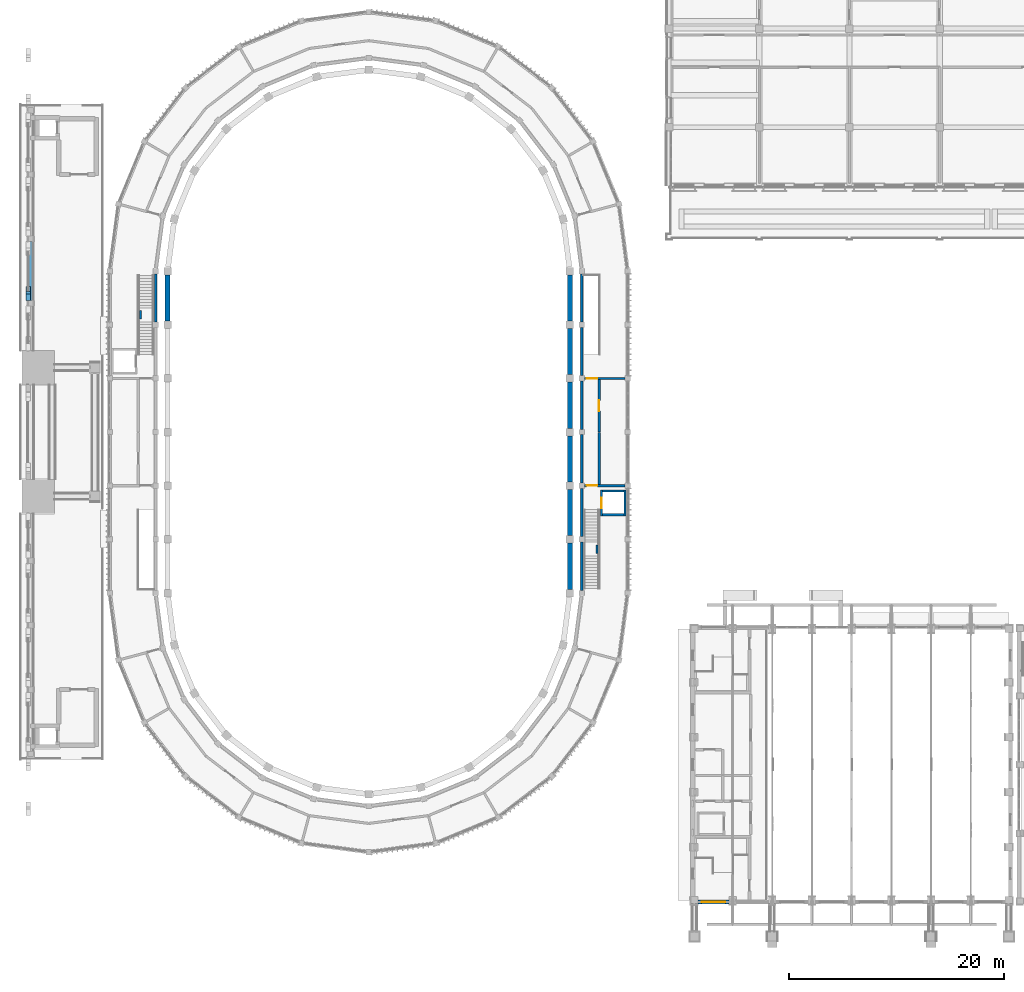
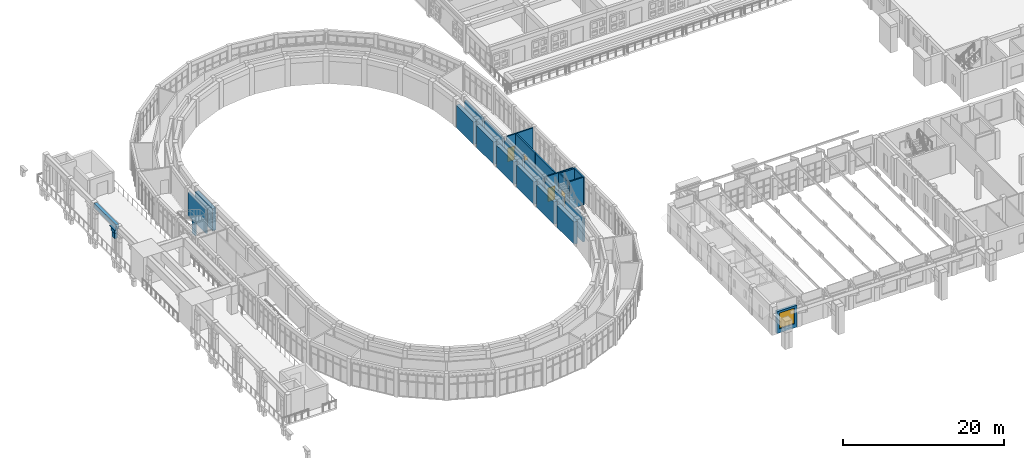
# One storey, part 57 of 99: 29 walls, 4 doors, 1 window, 5 openings.
"""IFC4 building model written with IfcOpenShell, lengths in metres."""

from ifc_helpers import new_model, si_unit, direction, frame, frame_2d, origin, place, context, subcontext, project, spatial, rectangle, extrude, material, layer, layer_set, type_object, element, fill, save


model = new_model("IFC4")

# Units and contexts
model_context = context("Model", 3, precision=1e-05, world=origin(), true_north=direction((0.0, 1.0)))
body_context = subcontext(model_context, "Body", "Model", "MODEL_VIEW")
ifc_project = project(units=[si_unit("LENGTHUNIT", "METRE"), si_unit("AREAUNIT", "SQUARE_METRE"), si_unit("VOLUMEUNIT", "CUBIC_METRE"), si_unit("PLANEANGLEUNIT", "RADIAN"), si_unit("MASSUNIT", "GRAM", prefix="KILO")], contexts=[model_context])

# Site, building, storey
site_placement = place(None, origin())
site = spatial("IfcSite", under=ifc_project, at=site_placement, CompositionType="ELEMENT")
building_placement = place(site_placement, origin())
building = spatial("IfcBuilding", under=site, at=building_placement, Name="Wasatch Bagh Community Centre", CompositionType="ELEMENT")
storey_placement = place(building_placement, frame((0.0, 0.0, 4.199951171875)))
storey = spatial("IfcBuildingStorey", under=building, at=storey_placement, Name="L01", CompositionType="ELEMENT", Elevation=4.199951171875)

# Walls
ifc_material_1 = material(Name="Concrete C40", Category="concrete")
ifc_layer_1 = layer(ifc_material_1, 0.39990234375)
ifc_layer_set_1 = layer_set([ifc_layer_1], Name="Concrete C40")
wall_type_1 = type_object("IfcWallType", Name="CT-W1", PredefinedType="STANDARD", material=ifc_layer_set_1)
wall_1_placement = place(storey_placement, frame((4.5, 62.25, 3.550048828125), z_axis=(0.0, 0.0, 1.0), x_axis=(0.0, 1.0, 0.0)))
element("IfcWall", 1, at=wall_1_placement, inside=storey, type_object=wall_type_1, Name="CT-W1 terrace arcade spandrel band 4", PredefinedType="STANDARD", context=body_context, shape_type="SweptSolid", body=[
    extrude(rectangle(XDim=5.5, YDim=0.39990234375, at=frame_2d((2.75, 0.0))), origin(), (0.0, 0.0, 1.0), 0.64990234375),
])
ifc_layer_2 = layer(ifc_material_1, 0.449951171875)
ifc_layer_set_2 = layer_set([ifc_layer_2], Name="Concrete C40")
wall_type_2 = type_object("IfcWallType", Name="CT-W6", PredefinedType="STANDARD", material=ifc_layer_set_2)
wall_2_placement = place(storey_placement, frame((4.27490234375, 62.25, 2.199951171875), z_axis=(0.0, 0.0, 1.0), x_axis=(0.0, 1.0, 0.0)))
element("IfcWall", 2, at=wall_2_placement, inside=storey, type_object=wall_type_2, Name="CT-W6 colonnade arch spandrel", PredefinedType="STANDARD", context=body_context, shape_type="SweptSolid", body=[
    extrude(rectangle(XDim=0.60009765625, YDim=0.449951171875, at=frame_2d((0.300048828125, 0.0))), origin(), (0.0, 0.0, 1.0), 0.800048828125),
])
wall_3_placement = place(storey_placement, frame((4.27490234375, 62.25, 3.0), z_axis=(0.0, 0.0, 1.0), x_axis=(0.0, 1.0, 0.0)))
element("IfcWall", 3, at=wall_3_placement, inside=storey, type_object=wall_type_2, Name="CT-W6 colonnade arch spandrel", PredefinedType="STANDARD", context=body_context, shape_type="SweptSolid", body=[
    extrude(rectangle(XDim=0.837158203125, YDim=0.449951171875, at=frame_2d((0.41845703125, 0.0))), origin(), (0.0, 0.0, 1.0), 0.449951171875),
])
wall_4_placement = place(storey_placement, frame((4.27490234375, 62.25, 3.449951171875), z_axis=(0.0, 0.0, 1.0), x_axis=(0.0, 1.0, 0.0)))
element("IfcWall", 4, at=wall_4_placement, inside=storey, type_object=wall_type_2, Name="CT-W6 colonnade arch spandrel", PredefinedType="STANDARD", context=body_context, shape_type="SweptSolid", body=[
    extrude(rectangle(XDim=1.29833984375, YDim=0.449951171875, at=frame_2d((0.649169921875, 0.0))), origin(), (0.0, 0.0, 1.0), 0.050048828125),
])

# Wall, opening, window
ifc_layer_3 = layer(ifc_material_1, 0.39990234375)
ifc_layer_set_3 = layer_set([ifc_layer_3], Name="Concrete C40")
wall_type_3 = type_object("IfcWallType", Name="DH RC WALL 400 solidwall", PredefinedType="SOLIDWALL", material=ifc_layer_set_3)
wall_5_placement = place(storey_placement, frame((69.550048828125, 6.199951171875, 0.0), z_axis=(0.0, 0.0, 1.0), x_axis=(-1.0, 0.0, 0.0)))
wall_5 = element("IfcWall", 5, at=wall_5_placement, inside=storey, type_object=wall_type_3, Name="DH.wall.L01.01", PredefinedType="SOLIDWALL", context=body_context, shape_type="SweptSolid", body=[
    extrude(rectangle(XDim=2.85009765625, YDim=0.39990234375, at=frame_2d((1.425048828125, 0.0))), origin(), (0.0, 0.0, 1.0), 3.300048828125),
])
opening_1_placement = place(wall_5_placement, frame((0.324951171875, 0.0, 0.60009765625)))
opening_1 = element("IfcOpeningElement", 6, at=opening_1_placement, cuts=wall_5, Name="Opening 1D-W01", PredefinedType="OPENING", context=body_context, shape_type="SweptSolid", body=[
    extrude(rectangle(XDim=2.199951171875, YDim=2.39990234375, at=frame_2d((1.10009765625, 1.199951171875))), frame((0.0, 0.2099609375, 0.0), z_axis=(0.0, -1.0, 0.0), x_axis=(1.0, 0.0, 0.0)), (0.0, 0.0, 1.0), 0.419921875),
])
ifc_material_2 = material(Name="Aluminium frame with double glazing", Category="aluminium")
window_type = type_object("IfcWindowType", Name="DH window 2200x2400", PartitioningType="SINGLE_PANEL", PredefinedType="WINDOW", material=ifc_material_2)
window_placement = place(opening_1_placement, origin())
window = element("IfcWindow", 7, at=window_placement, inside=storey, type_object=window_type, Name="DH.window.L01.1D-W01", OverallHeight=2.39990234375, OverallWidth=2.199951171875, PartitioningType="SINGLE_PANEL", PredefinedType="WINDOW", context=body_context, shape_type="SweptSolid", body=[
    extrude(rectangle(XDim=2.199951171875, YDim=2.39990234375, at=frame_2d((1.10009765625, 1.199951171875))), frame((0.0, 0.030029296875, 0.0), z_axis=(0.0, -1.0, 0.0), x_axis=(1.0, 0.0, 0.0)), (0.0, 0.0, 1.0), 0.06005859375),
])
fill(opening_1, window)

# Wall, opening, door
ifc_layer_4 = layer(ifc_material_1, 0.199951171875)
ifc_layer_set_4 = layer_set([ifc_layer_4], Name="Concrete C40")
wall_type_4 = type_object("IfcWallType", Name="Drum core wall RC WALL 200", PredefinedType="STANDARD", material=ifc_layer_set_4)
wall_6_placement = place(storey_placement, frame((56.10009765625, 45.0, 0.0), z_axis=(0.0, 0.0, 1.0), x_axis=(1.0, 0.0, 0.0)))
wall_6 = element("IfcWall", 8, at=wall_6_placement, inside=storey, type_object=wall_type_4, Name="Partition 14", PredefinedType="STANDARD", context=body_context, shape_type="SweptSolid", body=[
    extrude(rectangle(XDim=3.7998046875, YDim=0.199951171875, at=frame_2d((1.89990234375, 0.0))), origin(), (0.0, 0.0, 1.0), 3.949951171875),
])
opening_2_placement = place(wall_6_placement, frame((0.199951171875, 0.0, 0.0)))
opening_2 = element("IfcOpeningElement", 9, at=opening_2_placement, cuts=wall_6, Name="Opening 0F-23", PredefinedType="OPENING", context=body_context, shape_type="SweptSolid", body=[
    extrude(rectangle(XDim=1.0, YDim=2.10009765625, at=frame_2d((0.5, 1.050048828125))), frame((0.0, 0.10986328125, 0.0), z_axis=(0.0, -1.0, 0.0), x_axis=(1.0, 0.0, 0.0)), (0.0, 0.0, 1.0), 0.219970703125),
])
ifc_material_3 = material(Name="Timber door leaf in steel frame", Category="steel")
door_type_1 = type_object("IfcDoorType", Name="Drum door single 1000 x 2100", OperationType="SINGLE_SWING_LEFT", PredefinedType="DOOR", material=ifc_material_3)
door_1_placement = place(opening_2_placement, origin())
door_1 = element("IfcDoor", 10, at=door_1_placement, inside=storey, type_object=door_type_1, Name="Door 0F-23", OperationType="SINGLE_SWING_LEFT", OverallHeight=2.10009765625, OverallWidth=1.0, PredefinedType="DOOR", context=body_context, shape_type="SweptSolid", body=[
    extrude(rectangle(XDim=1.0, YDim=2.10009765625, at=frame_2d((0.5, 1.050048828125))), frame((0.0, 0.02490234375, 0.0), z_axis=(0.0, -1.0, 0.0), x_axis=(1.0, 0.0, 0.0)), (0.0, 0.0, 1.0), 0.050048828125),
])
fill(opening_2, door_1)

wall_7_placement = place(storey_placement, frame((56.10009765625, 55.0, 0.0), z_axis=(0.0, 0.0, 1.0), x_axis=(1.0, 0.0, 0.0)))
wall_7 = element("IfcWall", 11, at=wall_7_placement, inside=storey, type_object=wall_type_4, Name="Partition 16", PredefinedType="STANDARD", context=body_context, shape_type="SweptSolid", body=[
    extrude(rectangle(XDim=3.7998046875, YDim=0.199951171875, at=frame_2d((1.89990234375, 0.0))), origin(), (0.0, 0.0, 1.0), 3.949951171875),
])
opening_3_placement = place(wall_7_placement, frame((0.199951171875, 0.0, 0.0)))
opening_3 = element("IfcOpeningElement", 12, at=opening_3_placement, cuts=wall_7, Name="Opening 0F-24", PredefinedType="OPENING", context=body_context, shape_type="SweptSolid", body=[
    extrude(rectangle(XDim=1.0, YDim=2.10009765625, at=frame_2d((0.5, 1.050048828125))), frame((0.0, 0.10986328125, 0.0), z_axis=(0.0, -1.0, 0.0), x_axis=(1.0, 0.0, 0.0)), (0.0, 0.0, 1.0), 0.219970703125),
])
door_2_placement = place(opening_3_placement, origin())
door_2 = element("IfcDoor", 13, at=door_2_placement, inside=storey, type_object=door_type_1, Name="Door 0F-24", OperationType="SINGLE_SWING_RIGHT", OverallHeight=2.10009765625, OverallWidth=1.0, PredefinedType="DOOR", context=body_context, shape_type="SweptSolid", body=[
    extrude(rectangle(XDim=1.0, YDim=2.10009765625, at=frame_2d((0.5, 1.050048828125))), frame((0.0, 0.02490234375, 0.0), z_axis=(0.0, -1.0, 0.0), x_axis=(1.0, 0.0, 0.0)), (0.0, 0.0, 1.0), 0.050048828125),
])
fill(opening_3, door_2)

# Walls
ifc_layer_5 = layer(ifc_material_1, 0.25)
ifc_layer_set_5 = layer_set([ifc_layer_5], Name="Concrete C40")
wall_type_5 = type_object("IfcWallType", Name="Drum inner wall RC WALL 250", PredefinedType="SHEAR", material=ifc_layer_set_5)
for number, where, z_axis, x_axis, name in (
    (14, (55.85009765625, 35.25048828125, 0.0), (0.0, 0.0, 1.0), (0.0, 1.0, 0.0), "Inner wall 13"),
    (15, (55.85009765625, 40.25048828125, 0.0), (0.0, 0.0, 1.0), (0.0, 1.0, 0.0), "Inner wall 14"),
    (16, (55.85009765625, 45.25048828125, 0.0), (0.0, 0.0, 1.0), (0.0, 1.0, 0.0), "Inner wall 15"),
    (17, (55.85009765625, 50.25048828125, 0.0), (0.0, 0.0, 1.0), (0.0, 1.0, 0.0), "Inner wall 16"),
    (18, (55.85009765625, 55.25048828125, 0.0), (0.0, 0.0, 1.0), (0.0, 1.0, 0.0), "Inner wall 17"),
    (19, (55.85009765625, 60.25048828125, 0.0), (0.0, 0.0, 1.0), (0.0, 1.0, 0.0), "Inner wall 18"),
    (20, (16.14990234375, 64.74951171875, 0.0), (0.0, 0.0, 1.0), (0.0, -1.0, 0.0), "Inner wall 31"),
):
    element("IfcWall", number, at=place(storey_placement, frame(where, z_axis=z_axis, x_axis=x_axis)), inside=storey, type_object=wall_type_5, Name=name, PredefinedType="SHEAR", context=body_context, shape_type="SweptSolid", body=[
        extrude(rectangle(XDim=4.4990234375, YDim=0.25, at=frame_2d((2.24951171875, 0.0))), origin(), (0.0, 0.0, 1.0), 3.60009765625),
    ])
ifc_layer_6 = layer(ifc_material_1, 0.199951171875)
ifc_layer_set_6 = layer_set([ifc_layer_6], Name="Concrete C40")
wall_type_6 = type_object("IfcWallType", Name="Drum landing support wall RC WALL 200", PredefinedType="SHEAR", material=ifc_layer_set_6)
for number, where, z_axis, x_axis, name in (
    (21, (57.27490234375, 38.679931640625, 0.0), (0.0, 0.0, 1.0), (0.0, 1.0, 0.0), "Stair SE0 landing support wall"),
    (22, (14.72509765625, 61.320068359375, 0.0), (0.0, 0.0, 1.0), (0.0, -1.0, 0.0), "Stair NW0 landing support wall"),
):
    element("IfcWall", number, at=place(storey_placement, frame(where, z_axis=z_axis, x_axis=x_axis)), inside=storey, type_object=wall_type_6, Name=name, PredefinedType="SHEAR", context=body_context, shape_type="SweptSolid", body=[
        extrude(rectangle(XDim=0.800048828125, YDim=0.199951171875, at=frame_2d((0.39990234375, 0.0))), origin(), (0.0, 0.0, 1.0), 1.900146484375),
    ])

# Wall, opening, door
ifc_layer_7 = layer(ifc_material_1, 0.199951171875)
ifc_layer_set_7 = layer_set([ifc_layer_7], Name="Concrete C40")
wall_type_7 = type_object("IfcWallType", Name="Drum lift shaft wall RC WALL 200", PredefinedType="SHEAR", material=ifc_layer_set_7)
wall_8_placement = place(storey_placement, frame((57.675048828125, 42.199951171875, 0.0), z_axis=(0.0, 0.0, 1.0), x_axis=(0.0, 1.0, 0.0)))
wall_8 = element("IfcWall", 23, at=wall_8_placement, inside=storey, type_object=wall_type_7, Name="Lift shaft wall SE in", PredefinedType="SHEAR", context=body_context, shape_type="SweptSolid", body=[
    extrude(rectangle(XDim=2.400146484375, YDim=0.199951171875, at=frame_2d((1.2001953125, 0.0))), origin(), (0.0, 0.0, 1.0), 4.199951171875),
])
opening_4_placement = place(wall_8_placement, frame((0.699951171875, 0.0, 0.0)))
opening_4 = element("IfcOpeningElement", 24, at=opening_4_placement, cuts=wall_8, Name="Opening LD", PredefinedType="OPENING", context=body_context, shape_type="SweptSolid", body=[
    extrude(rectangle(XDim=1.0, YDim=2.10009765625, at=frame_2d((0.5, 1.050048828125))), frame((0.0, 0.10986328125, 0.0), z_axis=(0.0, -1.0, 0.0), x_axis=(1.0, 0.0, 0.0)), (0.0, 0.0, 1.0), 0.219970703125),
])
ifc_material_4 = material(Name="Stainless steel landing door", Category="steel")
door_type_2 = type_object("IfcDoorType", Name="Lift landing door 1000 x 2100", OperationType="SLIDING_TO_LEFT", PredefinedType="DOOR", material=ifc_material_4)
door_3_placement = place(opening_4_placement, origin())
door_3 = element("IfcDoor", 25, at=door_3_placement, inside=storey, type_object=door_type_2, Name="Lift landing door SE L01", OperationType="SLIDING_TO_LEFT", OverallHeight=2.10009765625, OverallWidth=1.0, PredefinedType="DOOR", context=body_context, shape_type="SweptSolid", body=[
    extrude(rectangle(XDim=1.0, YDim=2.10009765625, at=frame_2d((0.5, 1.050048828125))), frame((0.0, 0.02490234375, 0.0), z_axis=(0.0, -1.0, 0.0), x_axis=(1.0, 0.0, 0.0)), (0.0, 0.0, 1.0), 0.050048828125),
])
fill(opening_4, door_3)

# Walls
wall_9_placement = place(storey_placement, frame((59.875, 42.199951171875, 0.0), z_axis=(0.0, 0.0, 1.0), x_axis=(0.0, 1.0, 0.0)))
element("IfcWall", 26, at=wall_9_placement, inside=storey, type_object=wall_type_7, Name="Lift shaft wall SE out", PredefinedType="SHEAR", context=body_context, shape_type="SweptSolid", body=[
    extrude(rectangle(XDim=2.400146484375, YDim=0.199951171875, at=frame_2d((1.2001953125, 0.0))), origin(), (0.0, 0.0, 1.0), 4.199951171875),
])
for number, where, z_axis, x_axis, name in (
    (27, (57.77490234375, 42.300048828125, 0.0), (0.0, 0.0, 1.0), (1.0, 0.0, 0.0), "Lift shaft wall SE a0"),
    (28, (57.77490234375, 44.5, 0.0), (0.0, 0.0, 1.0), (1.0, 0.0, 0.0), "Lift shaft wall SE a1"),
):
    element("IfcWall", number, at=place(storey_placement, frame(where, z_axis=z_axis, x_axis=x_axis)), inside=storey, type_object=wall_type_7, Name=name, PredefinedType="SHEAR", context=body_context, shape_type="SweptSolid", body=[
        extrude(rectangle(XDim=2.0, YDim=0.199951171875, at=frame_2d((1.0, 0.0))), origin(), (0.0, 0.0, 1.0), 4.199951171875),
    ])
ifc_material_5 = material(Name="Gypsum board partition on steel studs", Category="steel")
ifc_layer_8 = layer(ifc_material_5, 0.199951171875)
ifc_layer_set_8 = layer_set([ifc_layer_8], Name="Gypsum board partition on steel studs")
wall_type_8 = type_object("IfcWallType", Name="Drum partition 200", PredefinedType="PARTITIONING", material=ifc_layer_set_8)
wall_10_placement = place(storey_placement, frame((57.47509765625, 45.1005859375, 0.0), z_axis=(0.0, 0.0, 1.0), x_axis=(0.0, 1.0, 0.0)))
element("IfcWall", 29, at=wall_10_placement, inside=storey, type_object=wall_type_8, Name="Corridor wall 15", PredefinedType="PARTITIONING", context=body_context, shape_type="SweptSolid", body=[
    extrude(rectangle(XDim=4.87939453125, YDim=0.199951171875, at=frame_2d((2.439697265625, 0.0))), origin(), (0.0, 0.0, 1.0), 3.949951171875),
])

# Wall, opening, door
wall_11_placement = place(storey_placement, frame((57.47509765625, 50.02001953125, 0.0), z_axis=(0.0, 0.0, 1.0), x_axis=(0.0, 1.0, 0.0)))
wall_11 = element("IfcWall", 30, at=wall_11_placement, inside=storey, type_object=wall_type_8, Name="Corridor wall 16", PredefinedType="PARTITIONING", context=body_context, shape_type="SweptSolid", body=[
    extrude(rectangle(XDim=4.87939453125, YDim=0.199951171875, at=frame_2d((2.439697265625, 0.0))), origin(), (0.0, 0.0, 1.0), 3.949951171875),
])
opening_5_placement = place(wall_11_placement, frame((1.939697265625, 0.0, 0.0)))
opening_5 = element("IfcOpeningElement", 31, at=opening_5_placement, cuts=wall_11, Name="Opening 0F-36", PredefinedType="OPENING", context=body_context, shape_type="SweptSolid", body=[
    extrude(rectangle(XDim=1.0, YDim=2.10009765625, at=frame_2d((0.5, 1.050048828125))), frame((0.0, 0.10986328125, 0.0), z_axis=(0.0, -1.0, 0.0), x_axis=(1.0, 0.0, 0.0)), (0.0, 0.0, 1.0), 0.219970703125),
])
door_4_placement = place(opening_5_placement, origin())
door_4 = element("IfcDoor", 32, at=door_4_placement, inside=storey, type_object=door_type_1, Name="Door 0F-36", OperationType="SINGLE_SWING_RIGHT", OverallHeight=2.10009765625, OverallWidth=1.0, PredefinedType="DOOR", context=body_context, shape_type="SweptSolid", body=[
    extrude(rectangle(XDim=1.0, YDim=2.10009765625, at=frame_2d((0.5, 1.050048828125))), frame((0.0, 0.02490234375, 0.0), z_axis=(0.0, -1.0, 0.0), x_axis=(1.0, 0.0, 0.0)), (0.0, 0.0, 1.0), 0.050048828125),
])
fill(opening_5, door_4)

# Walls
ifc_layer_9 = layer(ifc_material_1, 0.5)
ifc_layer_set_9 = layer_set([ifc_layer_9], Name="Concrete C40")
wall_type_9 = type_object("IfcWallType", Name="MH wall RC WALL 500", PredefinedType="SHEAR", material=ifc_layer_set_9)
for number, where, z_axis, x_axis, name in (
    (33, (54.75, 35.3505859375, 0.0), (0.0, 0.0, 1.0), (0.0, 1.0, 0.0), "Capsule wall 13"),
    (34, (54.75, 40.3505859375, 0.0), (0.0, 0.0, 1.0), (0.0, 1.0, 0.0), "Capsule wall 14"),
    (35, (54.75, 45.3505859375, 0.0), (0.0, 0.0, 1.0), (0.0, 1.0, 0.0), "Capsule wall 15"),
    (36, (54.75, 50.3505859375, 0.0), (0.0, 0.0, 1.0), (0.0, 1.0, 0.0), "Capsule wall 16"),
    (37, (54.75, 55.3505859375, 0.0), (0.0, 0.0, 1.0), (0.0, 1.0, 0.0), "Capsule wall 17"),
    (38, (54.75, 60.3505859375, 0.0), (0.0, 0.0, 1.0), (0.0, 1.0, 0.0), "Capsule wall 18"),
    (39, (17.25, 64.6494140625, 0.0), (0.0, 0.0, 1.0), (0.0, -1.0, 0.0), "Capsule wall 31"),
):
    element("IfcWall", number, at=place(storey_placement, frame(where, z_axis=z_axis, x_axis=x_axis)), inside=storey, type_object=wall_type_9, Name=name, PredefinedType="SHEAR", context=body_context, shape_type="SweptSolid", body=[
        extrude(rectangle(XDim=4.298828125, YDim=0.5, at=frame_2d((2.1494140625, 0.0))), origin(), (0.0, 0.0, 1.0), 3.400146484375),
    ])

save(model, "model.ifc")
